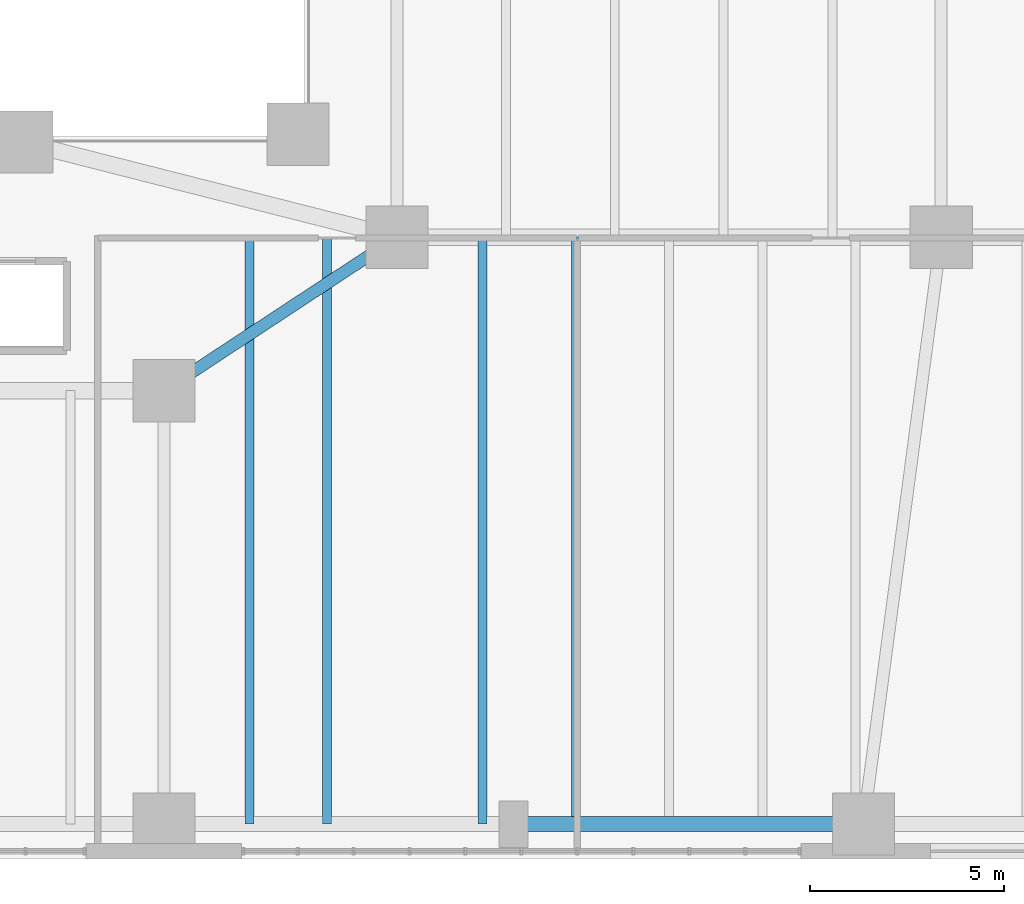
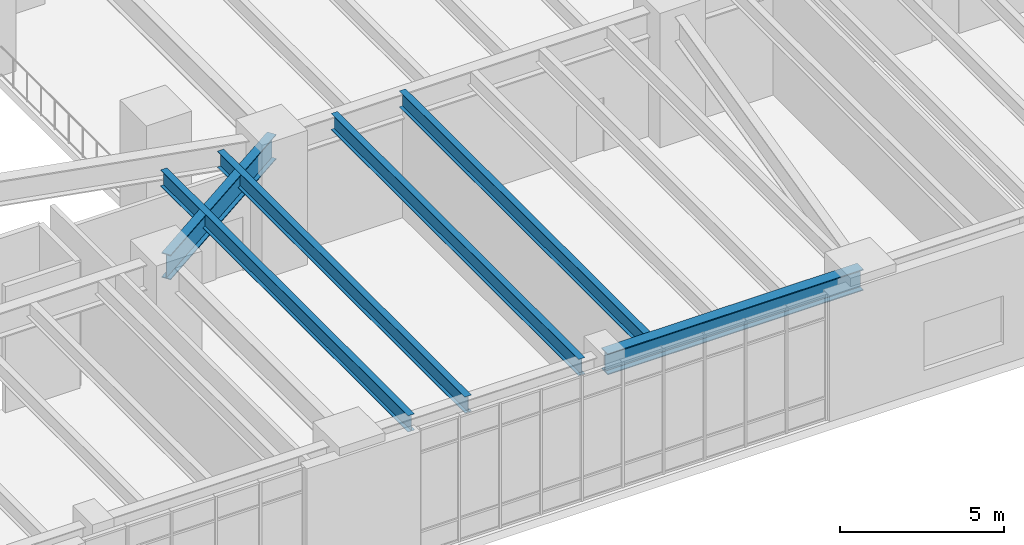
# One storey, part 7 of 26: 6 beams.
"""IFC4 building model written with IfcOpenShell, lengths in metres."""

from ifc_helpers import new_model, si_unit, direction, frame, origin, origin_2d, place, context, subcontext, project, spatial, i_section, extrude, material, material_profile, profile_set, type_object, element, save


model = new_model("IFC4")

# Units and contexts
model_context = context("Model", 3, precision=1e-05, world=origin(), true_north=direction((0.0, 1.0)))
body_context = subcontext(model_context, "Body", "Model", "MODEL_VIEW")
ifc_project = project(units=[si_unit("LENGTHUNIT", "METRE"), si_unit("AREAUNIT", "SQUARE_METRE"), si_unit("VOLUMEUNIT", "CUBIC_METRE"), si_unit("PLANEANGLEUNIT", "RADIAN"), si_unit("MASSUNIT", "GRAM", prefix="KILO"), si_unit("THERMODYNAMICTEMPERATUREUNIT", "KELVIN"), si_unit("POWERUNIT", "WATT")], contexts=[model_context])

# Site, building, storey
site_placement = place(None, origin())
site = spatial("IfcSite", under=ifc_project, at=site_placement, CompositionType="ELEMENT")
building_placement = place(site_placement, origin())
building = spatial("IfcBuilding", under=site, at=building_placement, Name="Skarre Station Tower", CompositionType="ELEMENT")
storey_placement = place(building_placement, frame((0.0, 0.0, 6.0)))
storey = spatial("IfcBuildingStorey", under=building, at=storey_placement, Name="L02", CompositionType="ELEMENT", Elevation=6.0)

# Beams
ifc_material = material(Name="Steel ASTM A992 Grade 50", Category="steel")
ifc_material_profile_1 = material_profile(ifc_material, i_section(OverallWidth=0.30810546875, OverallDepth=0.927001953125, WebThickness=0.01904296875, FlangeThickness=0.031982421875, at=origin_2d()), Name="Steel ASTM A992 Grade 50")
ifc_profile_set_1 = profile_set([ifc_material_profile_1], Name="Steel ASTM A992 Grade 50")
beam_type_1 = type_object("IfcBeamType", Name="Steel Beam W36X194", PredefinedType="BEAM", material=ifc_profile_set_1)
beam_1_placement = place(storey_placement, frame((36.0, 12.050048828125, 4.22607421875), z_axis=(0.835251957938, 0.549867408345, 0.0), x_axis=(-0.549867408345, 0.835251957938, 0.0)))
element("IfcBeam", 1, at=beam_1_placement, inside=storey, type_object=beam_type_1, Name="L02 Concourse Transverse Girder NS3B", PredefinedType="BEAM", context=body_context, shape_type="SweptSolid", body=[
    extrude(i_section(OverallWidth=0.30810546875, OverallDepth=0.927001953125, WebThickness=0.01904296875, FlangeThickness=0.031982421875, at=origin_2d()), origin(), (0.0, 0.0, 1.0), 7.183349609375),
])
ifc_material_profile_2 = material_profile(ifc_material, i_section(OverallWidth=0.22802734375, OverallDepth=0.60791015625, WebThickness=0.010986328125, FlangeThickness=0.01708984375, at=origin_2d()), Name="Steel ASTM A992 Grade 50")
ifc_profile_set_2 = profile_set([ifc_material_profile_2], Name="Steel ASTM A992 Grade 50")
beam_type_2 = type_object("IfcBeamType", Name="Steel Joist W24X76", PredefinedType="JOIST", material=ifc_profile_set_2)
for number, where, z_axis, x_axis, name in (
    (2, (38.199951171875, 0.89990234375, 4.385986328125), (0.0, 1.0, 0.0), (-1.0, 0.0, 0.0), "L02 South Bay Joist 14"),
    (3, (40.199951171875, 0.89990234375, 4.385986328125), (0.0, 1.0, 0.0), (-1.0, 0.0, 0.0), "L02 South Bay Joist 15"),
    (4, (44.199951171875, 0.89990234375, 4.385986328125), (0.0, 1.0, 0.0), (-1.0, 0.0, 0.0), "L02 South Bay Joist 16"),
    (5, (46.60009765625, 0.89990234375, 4.385986328125), (0.0, 1.0, 0.0), (-1.0, 0.0, 0.0), "L02 South Bay Joist 17"),
):
    element("IfcBeam", number, at=place(storey_placement, frame(where, z_axis=z_axis, x_axis=x_axis)), inside=storey, type_object=beam_type_2, Name=name, PredefinedType="JOIST", context=body_context, shape_type="SweptSolid", body=[
        extrude(i_section(OverallWidth=0.22802734375, OverallDepth=0.60791015625, WebThickness=0.010986328125, FlangeThickness=0.01708984375, at=origin_2d()), origin(), (0.0, 0.0, 1.0), 15.10009765625),
    ])
ifc_material_profile_3 = material_profile(ifc_material, i_section(OverallWidth=0.384033203125, OverallDepth=0.785888671875, WebThickness=0.02001953125, FlangeThickness=0.032958984375, at=origin_2d()), Name="Steel ASTM A992 Grade 50")
ifc_profile_set_3 = profile_set([ifc_material_profile_3], Name="Steel ASTM A992 Grade 50")
beam_type_3 = type_object("IfcBeamType", Name="Steel Spandrel W30X211", PredefinedType="SPANDREL", material=ifc_profile_set_3)
beam_2_placement = place(storey_placement, frame((45.0, 0.89990234375, 4.297119140625), z_axis=(1.0, 0.0, 0.0), x_axis=(0.0, 1.0, 0.0)))
element("IfcBeam", 6, at=beam_2_placement, inside=storey, type_object=beam_type_3, Name="L02 South Podium Spandrel 6", PredefinedType="SPANDREL", context=body_context, shape_type="SweptSolid", body=[
    extrude(i_section(OverallWidth=0.384033203125, OverallDepth=0.785888671875, WebThickness=0.02001953125, FlangeThickness=0.032958984375, at=origin_2d()), origin(), (0.0, 0.0, 1.0), 9.0),
])

save(model, "model.ifc")
